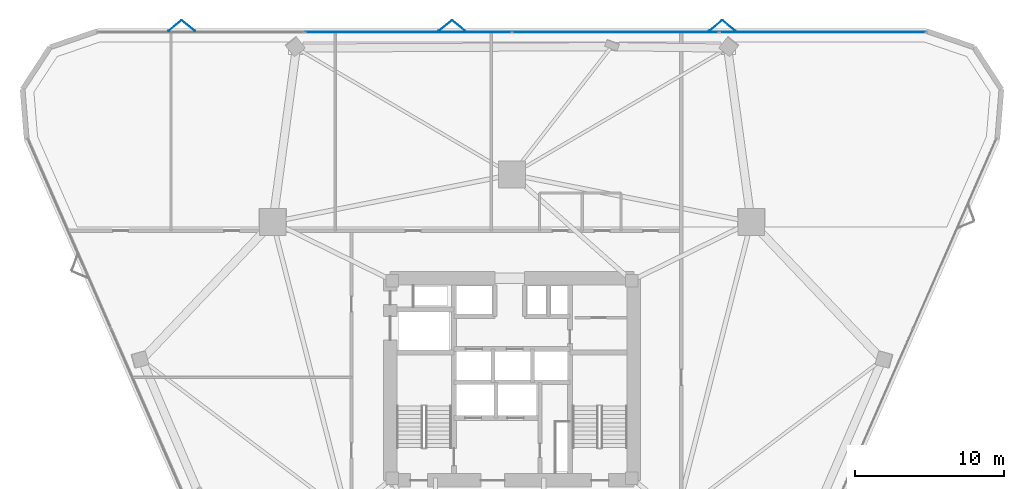
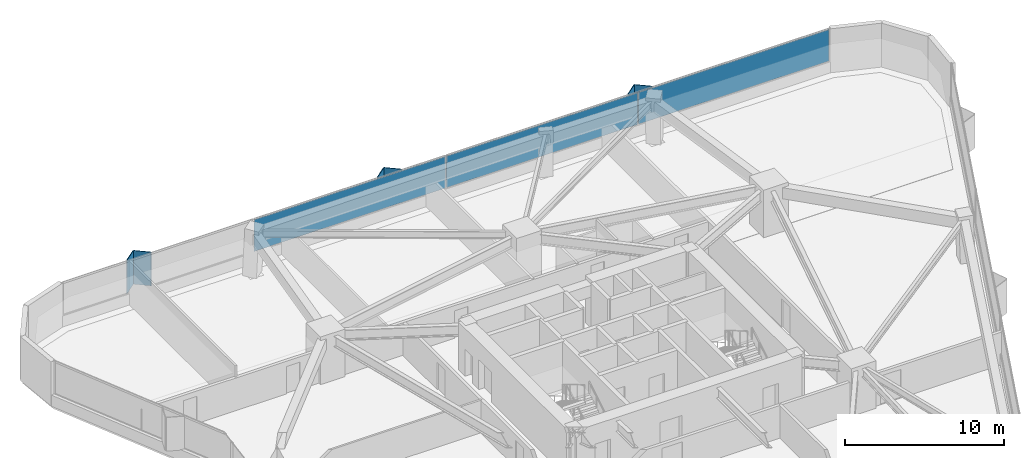
# One storey, part 16 of 21: 9 plates, 1 element without a shape of its own.
"""IFC4 building model written with IfcOpenShell, lengths in metres."""

from ifc_helpers import new_model, si_unit, direction, frame, origin, origin_2d, place, context, subcontext, project, spatial, rectangle, extrude, material, layer, layer_set, type_object, element, aggregate, save


model = new_model("IFC4")

# Units and contexts
model_context = context("Model", 3, precision=1e-05, world=origin(), true_north=direction((0.0, 1.0)))
body_context = subcontext(model_context, "Body", "Model", "MODEL_VIEW")
ifc_project = project(units=[si_unit("LENGTHUNIT", "METRE"), si_unit("AREAUNIT", "SQUARE_METRE"), si_unit("VOLUMEUNIT", "CUBIC_METRE"), si_unit("PLANEANGLEUNIT", "RADIAN"), si_unit("MASSUNIT", "GRAM", prefix="KILO")], contexts=[model_context])

# Site, building, storey
site_placement = place(None, origin())
site = spatial("IfcSite", under=ifc_project, at=site_placement, CompositionType="ELEMENT")
building_placement = place(site_placement, origin())
building = spatial("IfcBuilding", under=site, at=building_placement, Name="Talyreon Biosciences Tower", CompositionType="ELEMENT")
storey_placement = place(building_placement, frame((0.0, 0.0, 55.64990234375)))
storey = spatial("IfcBuildingStorey", under=building, at=storey_placement, Name="L14", CompositionType="ELEMENT", Elevation=55.64990234375)

# Curtain wall, plates
ifc_material_1 = material(Name="Thermally broken aluminium and low-E glazing", Category="aluminium")
ifc_layer_1 = layer(ifc_material_1, 0.195068359375)
ifc_layer_set_1 = layer_set([ifc_layer_1], Name="Thermally broken aluminium and low-E glazing")
curtain_wall_type = type_object("IfcCurtainWallType", Name="CurtainWall_Zone1WetLab", PredefinedType="NOTDEFINED", material=ifc_layer_set_1)
curtain_wall_placement = place(storey_placement, origin())
curtain_wall = element("IfcCurtainWall", 1, at=curtain_wall_placement, inside=storey, type_object=curtain_wall_type, Name="L14 Unitised Curtain Wall FCW-L14-04", PredefinedType="NOTDEFINED")
ifc_material_2 = material(Name="Triple-silver low-E insulated glazing", Category="glass")
ifc_layer_2 = layer(ifc_material_2, 0.031982421875)
ifc_layer_set_2 = layer_set([ifc_layer_2], Name="Triple-silver low-E insulated glazing")
plate_type_1 = type_object("IfcPlateType", Name="CWGlazingPanel_32", PredefinedType="CURTAIN_PANEL", material=ifc_layer_set_2)
plate_1_placement = place(storey_placement, frame((59.021240234375, 91.373779296875, 0.875), z_axis=(0.0, 0.0, 1.0), x_axis=(1.0, 0.0, 0.0)))
plate_1 = element("IfcPlate", 2, at=plate_1_placement, type_object=plate_type_1, Name="CW2 panel 2.1", PredefinedType="CURTAIN_PANEL", context=body_context, shape_type="SweptSolid", body=[
    extrude(rectangle(XDim=13.892578125, YDim=0.031982421875, at=origin_2d()), origin(), (0.0, 0.0, 1.0), 2.43505859375),
])
plate_2_placement = place(storey_placement, frame((72.978759765625, 91.373779296875, 0.875), z_axis=(0.0, 0.0, 1.0), x_axis=(1.0, 0.0, 0.0)))
plate_2 = element("IfcPlate", 3, at=plate_2_placement, type_object=plate_type_1, Name="CW2 panel 3.1", PredefinedType="CURTAIN_PANEL", context=body_context, shape_type="SweptSolid", body=[
    extrude(rectangle(XDim=13.892578125, YDim=0.031982421875, at=origin_2d()), origin(), (0.0, 0.0, 1.0), 2.43505859375),
])
plate_3_placement = place(storey_placement, frame((86.92041015625, 91.373779296875, 0.875), z_axis=(0.0, 0.0, 1.0), x_axis=(1.0, 0.0, 0.0)))
plate_3 = element("IfcPlate", 4, at=plate_3_placement, type_object=plate_type_1, Name="CW2 panel 4.1", PredefinedType="CURTAIN_PANEL", context=body_context, shape_type="SweptSolid", body=[
    extrude(rectangle(XDim=13.860107421875, YDim=0.031982421875, at=origin_2d()), origin(), (0.0, 0.0, 1.0), 2.43505859375),
])
aggregate(curtain_wall, [plate_1, plate_2, plate_3])

# Plates
ifc_material_3 = material(Name="Ivory GFRC sunshade panel", Category="concrete")
ifc_layer_3 = layer(ifc_material_3, 0.044921875)
ifc_layer_set_3 = layer_set([ifc_layer_3], Name="Ivory GFRC sunshade panel")
plate_type_2 = type_object("IfcPlateType", Name="FoldedVSunshade_NorthFace_SUNSHADE", PredefinedType="USERDEFINED", material=ifc_layer_set_3)
for number, where, z_axis, x_axis, name in (
    (5, (43.3046875, 91.81396484375, 0.7900390625), (0.0, 0.0, 1.0), (0.771624583388, 0.636078220278, 0.0), "L14 Folded V-Sunshade Panel 04.01L"),
    (6, (44.20458984375, 91.81396484375, 0.7900390625), (0.0, 0.0, 1.0), (0.771624583388, -0.636078220278, 0.0), "L14 Folded V-Sunshade Panel 04.01R"),
    (7, (61.504638671875, 91.81396484375, 0.7900390625), (0.0, 0.0, 1.0), (0.771624583388, 0.636078220278, 0.0), "L14 Folded V-Sunshade Panel 04.02L"),
    (8, (62.404541015625, 91.81396484375, 0.7900390625), (0.0, 0.0, 1.0), (0.771624583388, -0.636078220278, 0.0), "L14 Folded V-Sunshade Panel 04.02R"),
    (9, (79.70458984375, 91.81396484375, 0.7900390625), (0.0, 0.0, 1.0), (0.771624583388, 0.636078220278, 0.0), "L14 Folded V-Sunshade Panel 04.03L"),
    (10, (80.6044921875, 91.81396484375, 0.7900390625), (0.0, 0.0, 1.0), (0.771624583388, -0.636078220278, 0.0), "L14 Folded V-Sunshade Panel 04.03R"),
):
    element("IfcPlate", number, at=place(storey_placement, frame(where, z_axis=z_axis, x_axis=x_axis)), inside=storey, type_object=plate_type_2, Name=name, ObjectType="SUNSHADE", PredefinedType="USERDEFINED", context=body_context, shape_type="SweptSolid", body=[
        extrude(rectangle(XDim=1.14990234375, YDim=0.044921875, at=origin_2d()), origin(), (0.0, 0.0, 1.0), 2.5849609375),
    ])

save(model, "model.ifc")
